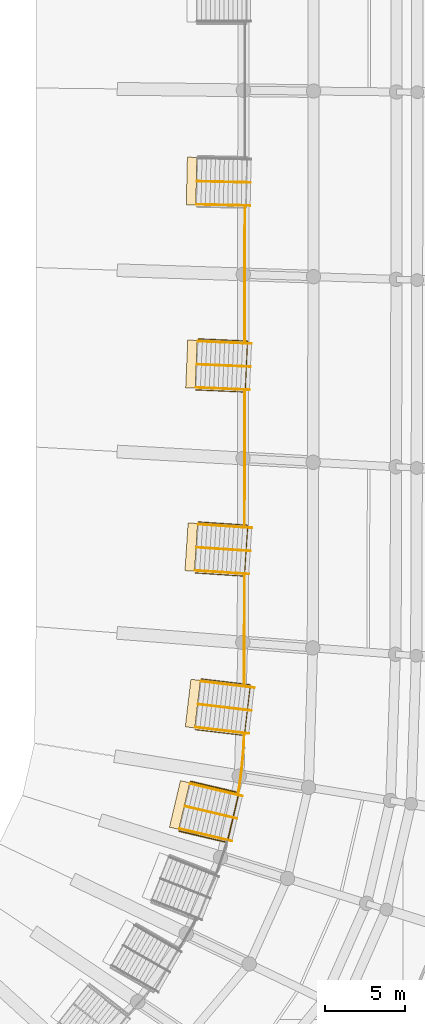
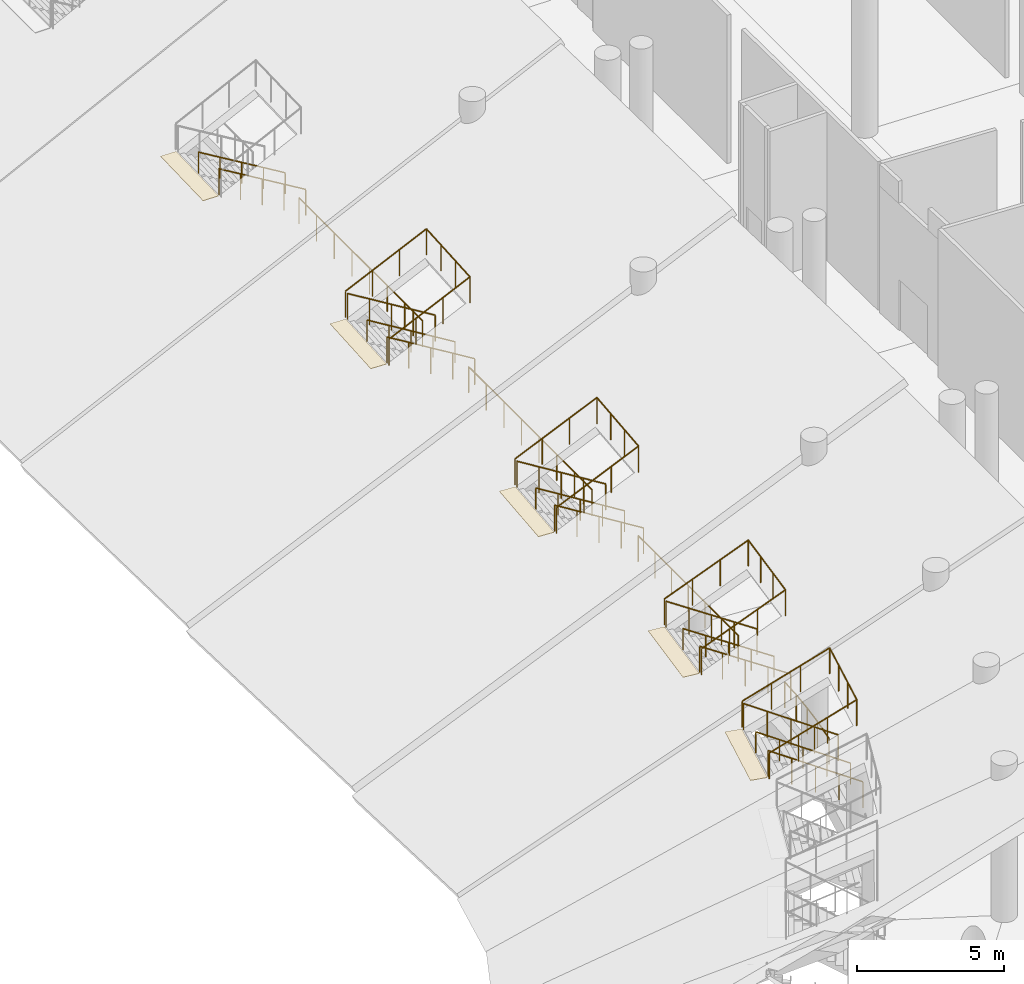
# One storey, part 216 of 255: 23 railings, 5 coverings.
"""IFC4 building model written with IfcOpenShell, lengths in metres."""

from ifc_helpers import new_model, si_unit, direction, frame, origin, origin_2d, place, context, subcontext, project, spatial, rectangle, circle, extrude, material, layer, layer_set, type_object, element, save


model = new_model("IFC4")

# Units and contexts
model_context = context("Model", 3, precision=1e-05, world=origin(), true_north=direction((0.0, 1.0)))
body_context = subcontext(model_context, "Body", "Model", "MODEL_VIEW")
ifc_project = project(units=[si_unit("LENGTHUNIT", "METRE"), si_unit("AREAUNIT", "SQUARE_METRE"), si_unit("VOLUMEUNIT", "CUBIC_METRE"), si_unit("PLANEANGLEUNIT", "RADIAN"), si_unit("MASSUNIT", "GRAM", prefix="KILO")], contexts=[model_context])

# Site, building, storey
site_placement = place(None, origin())
site = spatial("IfcSite", under=ifc_project, at=site_placement, CompositionType="ELEMENT")
building_placement = place(site_placement, origin())
building = spatial("IfcBuilding", under=site, at=building_placement, Name="Meseta Stadium", CompositionType="ELEMENT")
storey_placement = place(building_placement, origin())
storey = spatial("IfcBuildingStorey", under=building, at=storey_placement, Name="L00", CompositionType="ELEMENT", Elevation=0.0)

# Railings
ifc_material_1 = material(Name="Steel S355", Category="steel")
railing_type_1 = type_object("IfcRailingType", Name="Plate edge guard 1100", PredefinedType="GUARDRAIL", material=ifc_material_1)
railing_1_placement = place(storey_placement, frame((53.839599609375, -48.759521484375, 0.0)))
element("IfcRailing", 1, at=railing_1_placement, inside=storey, type_object=railing_type_1, Name="L00 inner edge guard 1", PredefinedType="GUARDRAIL", context=body_context, shape_type="SweptSolid", body=[
    extrude(circle(Radius=0.02490234375, at=origin_2d()), frame((0.0, 0.0, 1.0751953125), z_axis=(0.112509767376, 0.993650618802, 0.0), x_axis=(-0.993650618802, 0.112509767376, 0.0)), (0.0, 0.0, 1.0), 0.876708984375),
    extrude(circle(Radius=0.02490234375, at=origin_2d()), frame((0.0986328125, 0.87109375, 1.0751953125), z_axis=(0.080210130569, 0.99677797676, 0.0), x_axis=(-0.99677797676, 0.080210130569, 0.0)), (0.0, 0.0, 1.0), 0.876708984375),
    extrude(circle(Radius=0.02490234375, at=origin_2d()), frame((0.1689453125, 1.744873046875, 1.0751953125), z_axis=(0.047537937473, 0.99886943316, 0.0), x_axis=(-0.99886943316, 0.047537937473, 0.0)), (0.0, 0.0, 1.0), 0.8525390625),
    extrude(circle(Radius=0.02001953125, at=origin_2d()), origin(), (0.0, 0.0, 1.0), 1.050048828125),
    extrude(circle(Radius=0.02001953125, at=origin_2d()), frame((0.0986328125, 0.87109375, 0.0)), (0.0, 0.0, 1.0), 1.050048828125),
    extrude(circle(Radius=0.02001953125, at=origin_2d()), frame((0.1689453125, 1.744873046875, 0.0)), (0.0, 0.0, 1.0), 1.050048828125),
    extrude(circle(Radius=0.02001953125, at=origin_2d()), frame((0.20947265625, 2.596435546875, 0.0)), (0.0, 0.0, 1.0), 1.050048828125),
])
railing_2_placement = place(storey_placement, frame((54.056640625, -43.001953125, 0.0)))
element("IfcRailing", 2, at=railing_2_placement, inside=storey, type_object=railing_type_1, Name="L00 inner edge guard 2", PredefinedType="GUARDRAIL", context=body_context, shape_type="SweptSolid", body=[
    extrude(circle(Radius=0.02490234375, at=origin_2d()), frame((0.0, 0.0, 1.0751953125), z_axis=(0.001861794124, 0.99999826686, 0.0), x_axis=(-0.99999826686, 0.001861794124, 0.0)), (0.0, 0.0, 1.0), 6.81884765625),
    extrude(circle(Radius=0.02001953125, at=origin_2d()), origin(), (0.0, 0.0, 1.0), 1.050048828125),
    extrude(circle(Radius=0.02001953125, at=origin_2d()), frame((0.002197265625, 1.136474609375, 0.0)), (0.0, 0.0, 1.0), 1.050048828125),
    extrude(circle(Radius=0.02001953125, at=origin_2d()), frame((0.004150390625, 2.27294921875, 0.0)), (0.0, 0.0, 1.0), 1.050048828125),
    extrude(circle(Radius=0.02001953125, at=origin_2d()), frame((0.00634765625, 3.409423828125, 0.0)), (0.0, 0.0, 1.0), 1.050048828125),
    extrude(circle(Radius=0.02001953125, at=origin_2d()), frame((0.008544921875, 4.5458984375, 0.0)), (0.0, 0.0, 1.0), 1.050048828125),
    extrude(circle(Radius=0.02001953125, at=origin_2d()), frame((0.010498046875, 5.682373046875, 0.0)), (0.0, 0.0, 1.0), 1.050048828125),
    extrude(circle(Radius=0.02001953125, at=origin_2d()), frame((0.0126953125, 6.81884765625, 0.0)), (0.0, 0.0, 1.0), 1.050048828125),
])
railing_3_placement = place(storey_placement, frame((54.074462890625, -33.03662109375, 0.0)))
element("IfcRailing", 3, at=railing_3_placement, inside=storey, type_object=railing_type_1, Name="L00 inner edge guard 3", PredefinedType="GUARDRAIL", context=body_context, shape_type="SweptSolid", body=[
    extrude(circle(Radius=0.02490234375, at=origin_2d()), frame((0.0, 0.0, 1.0751953125), z_axis=(0.001338375292, 0.999999104375, 0.0), x_axis=(-0.999999104375, 0.001338375292, 0.0)), (0.0, 0.0, 1.0), 8.39111328125),
    extrude(circle(Radius=0.02001953125, at=origin_2d()), origin(), (0.0, 0.0, 1.0), 1.050048828125),
    extrude(circle(Radius=0.02001953125, at=origin_2d()), frame((0.001708984375, 1.19873046875, 0.0)), (0.0, 0.0, 1.0), 1.050048828125),
    extrude(circle(Radius=0.02001953125, at=origin_2d()), frame((0.003173828125, 2.3974609375, 0.0)), (0.0, 0.0, 1.0), 1.050048828125),
    extrude(circle(Radius=0.02001953125, at=origin_2d()), frame((0.0048828125, 3.59619140625, 0.0)), (0.0, 0.0, 1.0), 1.050048828125),
    extrude(circle(Radius=0.02001953125, at=origin_2d()), frame((0.00634765625, 4.794921875, 0.0)), (0.0, 0.0, 1.0), 1.050048828125),
    extrude(circle(Radius=0.02001953125, at=origin_2d()), frame((0.008056640625, 5.99365234375, 0.0)), (0.0, 0.0, 1.0), 1.050048828125),
    extrude(circle(Radius=0.02001953125, at=origin_2d()), frame((0.009521484375, 7.1923828125, 0.0)), (0.0, 0.0, 1.0), 1.050048828125),
    extrude(circle(Radius=0.02001953125, at=origin_2d()), frame((0.01123046875, 8.39111328125, 0.0)), (0.0, 0.0, 1.0), 1.050048828125),
])
railing_4_placement = place(storey_placement, frame((54.089111328125, -21.50244140625, 0.0)))
element("IfcRailing", 4, at=railing_4_placement, inside=storey, type_object=railing_type_1, Name="L00 inner edge guard 4", PredefinedType="GUARDRAIL", context=body_context, shape_type="SweptSolid", body=[
    extrude(circle(Radius=0.02490234375, at=origin_2d()), frame((0.0, 0.0, 1.0751953125), z_axis=(0.000814284613, 0.99999966847, 0.0), x_axis=(-0.99999966847, 0.000814284613, 0.0)), (0.0, 0.0, 1.0), 8.39501953125),
    extrude(circle(Radius=0.02001953125, at=origin_2d()), origin(), (0.0, 0.0, 1.0), 1.050048828125),
    extrude(circle(Radius=0.02001953125, at=origin_2d()), frame((0.0009765625, 1.19921875, 0.0)), (0.0, 0.0, 1.0), 1.050048828125),
    extrude(circle(Radius=0.02001953125, at=origin_2d()), frame((0.001953125, 2.398681640625, 0.0)), (0.0, 0.0, 1.0), 1.050048828125),
    extrude(circle(Radius=0.02001953125, at=origin_2d()), frame((0.0029296875, 3.597900390625, 0.0)), (0.0, 0.0, 1.0), 1.050048828125),
    extrude(circle(Radius=0.02001953125, at=origin_2d()), frame((0.00390625, 4.797119140625, 0.0)), (0.0, 0.0, 1.0), 1.050048828125),
    extrude(circle(Radius=0.02001953125, at=origin_2d()), frame((0.0048828125, 5.996337890625, 0.0)), (0.0, 0.0, 1.0), 1.050048828125),
    extrude(circle(Radius=0.02001953125, at=origin_2d()), frame((0.005859375, 7.19580078125, 0.0)), (0.0, 0.0, 1.0), 1.050048828125),
    extrude(circle(Radius=0.02001953125, at=origin_2d()), frame((0.0068359375, 8.39501953125, 0.0)), (0.0, 0.0, 1.0), 1.050048828125),
])
railing_5_placement = place(storey_placement, frame((53.679931640625, -49.806640625, 0.0)))
element("IfcRailing", 5, at=railing_5_placement, inside=storey, type_object=railing_type_1, Name="L00 inner edge guard 57", PredefinedType="GUARDRAIL", context=body_context, shape_type="SweptSolid", body=[
    extrude(circle(Radius=0.02490234375, at=origin_2d()), frame((0.0, 0.0, 1.0751953125), z_axis=(0.150740722713, 0.988573332897, 0.0), x_axis=(-0.988573332897, 0.150740722713, 0.0)), (0.0, 0.0, 1.0), 1.059326171875),
    extrude(circle(Radius=0.02001953125, at=origin_2d()), origin(), (0.0, 0.0, 1.0), 1.050048828125),
    extrude(circle(Radius=0.02001953125, at=origin_2d()), frame((0.15966796875, 1.047119140625, 0.0)), (0.0, 0.0, 1.0), 1.050048828125),
])

# Coverings
ifc_material_2 = material(Name="Stone paving", Category="masonry")
ifc_layer = layer(ifc_material_2, 0.02001953125)
ifc_layer_set = layer_set([ifc_layer], Name="Vomitory exit threshold plate 20")
covering_type = type_object("IfcCoveringType", Name="Vomitory exit threshold plate 20", PredefinedType="FLOORING", material=ifc_layer_set)
for number, where, z_axis, x_axis, name in (
    (6, (50.83349609375, -44.199951171875, 2.228515625), (0.0, 0.0, 1.0), (-0.993015017931, 0.117988025512, 0.0), "Vomitory V-lower-01 exit threshold"),
    (7, (50.737060546875, -34.390380859375, 2.130615234375), (0.0, 0.0, 1.0), (-0.997842912451, 0.065646950207, 0.0), "Vomitory V-lower-02 exit threshold"),
    (8, (50.748779296875, -22.927490234375, 2.130615234375), (0.0, 0.0, 1.0), (-0.999039522965, 0.043818164662, 0.0), "Vomitory V-lower-03 exit threshold"),
    (9, (50.755859375, -11.4638671875, 2.130615234375), (0.0, 0.0, 1.0), (-0.999759622364, 0.021924814479, 0.0), "Vomitory V-lower-04 exit threshold"),
    (10, (50.00439453125, -50.55224609375, 2.11767578125), (0.0, 0.0, 1.0), (-0.973256309483, 0.229721910255, 0.0), "Vomitory V-lower-56 exit threshold"),
):
    element("IfcCovering", number, at=place(storey_placement, frame(where, z_axis=z_axis, x_axis=x_axis)), inside=storey, type_object=covering_type, Name=name, PredefinedType="FLOORING", context=body_context, shape_type="SweptSolid", body=[
        extrude(rectangle(XDim=0.60009765625, YDim=3.0, at=origin_2d()), origin(), (0.0, 0.0, 1.0), 0.02001953125),
    ])

# Railings
ifc_material_3 = material(Name="Steel S355", Category="steel")
railing_type_2 = type_object("IfcRailingType", Name="Vomitory slot guard 1100", PredefinedType="GUARDRAIL", material=ifc_material_3)
railing_6_placement = place(storey_placement, frame((51.361083984375, -42.6513671875, 2.24853515625)))
element("IfcRailing", 11, at=railing_6_placement, inside=storey, type_object=railing_type_2, Name="Vomitory V-lower-01 slot guard", PredefinedType="GUARDRAIL", context=body_context, shape_type="SweptSolid", body=[
    extrude(circle(Radius=0.02490234375, at=origin_2d()), frame((0.0, 0.0, 1.0751953125), z_axis=(0.884593898509, -0.105101654502, 0.454364695967), x_axis=(0.117983604359, 0.993015543233, 0.0)), (0.0, 0.0, 1.0), 3.479736328125),
    extrude(circle(Radius=0.02490234375, at=origin_2d()), frame((3.078125, -0.36572265625, 2.65625), z_axis=(-0.117947803089, -0.993019796251, 0.0), x_axis=(0.993019796251, -0.117947803089, 0.0)), (0.0, 0.0, 1.0), 3.199951171875),
    extrude(circle(Radius=0.02490234375, at=origin_2d()), frame((2.70068359375, -3.54345703125, 2.65625), z_axis=(-0.884609156729, 0.105095131793, -0.454336497659), x_axis=(-0.117974377502, -0.993016639464, 0.0)), (0.0, 0.0, 1.0), 3.47998046875),
    extrude(circle(Radius=0.02001953125, at=origin_2d()), origin(), (0.0, 0.0, 1.0), 1.050048828125),
    extrude(circle(Radius=0.02001953125, at=origin_2d()), frame((1.026123046875, -0.121826171875, 0.527099609375)), (0.0, 0.0, 1.0), 1.050048828125),
    extrude(circle(Radius=0.02001953125, at=origin_2d()), frame((2.052001953125, -0.243896484375, 1.053955078125)), (0.0, 0.0, 1.0), 1.050048828125),
    extrude(circle(Radius=0.02001953125, at=origin_2d()), frame((3.078125, -0.36572265625, 1.5810546875)), (0.0, 0.0, 1.0), 1.050048828125),
    extrude(circle(Radius=0.02001953125, at=origin_2d()), frame((2.952392578125, -1.425048828125, 1.5810546875)), (0.0, 0.0, 1.0), 1.050048828125),
    extrude(circle(Radius=0.02001953125, at=origin_2d()), frame((2.826416015625, -2.484130859375, 1.5810546875)), (0.0, 0.0, 1.0), 1.050048828125),
    extrude(circle(Radius=0.02001953125, at=origin_2d()), frame((2.70068359375, -3.54345703125, 1.5810546875)), (0.0, 0.0, 1.0), 1.050048828125),
    extrude(circle(Radius=0.02001953125, at=origin_2d()), frame((1.674560546875, -3.421630859375, 1.053955078125)), (0.0, 0.0, 1.0), 1.050048828125),
    extrude(circle(Radius=0.02001953125, at=origin_2d()), frame((0.6484375, -3.299560546875, 0.527099609375)), (0.0, 0.0, 1.0), 1.050048828125),
    extrude(circle(Radius=0.02001953125, at=origin_2d()), frame((-0.377685546875, -3.177734375, 0.0)), (0.0, 0.0, 1.0), 1.050048828125),
])
railing_7_placement = place(storey_placement, frame((51.1826171875, -32.81640625, 2.150634765625)))
element("IfcRailing", 12, at=railing_7_placement, inside=storey, type_object=railing_type_2, Name="Vomitory V-lower-02 slot guard", PredefinedType="GUARDRAIL", context=body_context, shape_type="SweptSolid", body=[
    extrude(circle(Radius=0.02490234375, at=origin_2d()), frame((0.0, 0.0, 1.0751953125), z_axis=(0.888902795646, -0.058511833589, 0.454343686236), x_axis=(0.06568263854, 0.997840563915, 0.0)), (0.0, 0.0, 1.0), 3.47998046875),
    extrude(circle(Radius=0.02490234375, at=origin_2d()), frame((3.09326171875, -0.20361328125, 2.65625), z_axis=(-0.065617568946, -0.997844844976, 0.0), x_axis=(0.997844844976, -0.065617568946, 0.0)), (0.0, 0.0, 1.0), 3.19970703125),
    extrude(circle(Radius=0.02490234375, at=origin_2d()), frame((2.88330078125, -3.396484375, 2.65625), z_axis=(-0.888906442496, 0.05844191528, -0.454345550245), x_axis=(-0.065604221541, -0.997845722602, 0.0)), (0.0, 0.0, 1.0), 3.479736328125),
    extrude(circle(Radius=0.02001953125, at=origin_2d()), origin(), (0.0, 0.0, 1.0), 1.050048828125),
    extrude(circle(Radius=0.02001953125, at=origin_2d()), frame((1.031005859375, -0.06787109375, 0.527099609375)), (0.0, 0.0, 1.0), 1.050048828125),
    extrude(circle(Radius=0.02001953125, at=origin_2d()), frame((2.062255859375, -0.1357421875, 1.053955078125)), (0.0, 0.0, 1.0), 1.050048828125),
    extrude(circle(Radius=0.02001953125, at=origin_2d()), frame((3.09326171875, -0.20361328125, 1.5810546875)), (0.0, 0.0, 1.0), 1.050048828125),
    extrude(circle(Radius=0.02001953125, at=origin_2d()), frame((3.023193359375, -1.267822265625, 1.5810546875)), (0.0, 0.0, 1.0), 1.050048828125),
    extrude(circle(Radius=0.02001953125, at=origin_2d()), frame((2.953369140625, -2.332275390625, 1.5810546875)), (0.0, 0.0, 1.0), 1.050048828125),
    extrude(circle(Radius=0.02001953125, at=origin_2d()), frame((2.88330078125, -3.396484375, 1.5810546875)), (0.0, 0.0, 1.0), 1.050048828125),
    extrude(circle(Radius=0.02001953125, at=origin_2d()), frame((1.852294921875, -3.32861328125, 1.053955078125)), (0.0, 0.0, 1.0), 1.050048828125),
    extrude(circle(Radius=0.02001953125, at=origin_2d()), frame((0.821044921875, -3.260986328125, 0.527099609375)), (0.0, 0.0, 1.0), 1.050048828125),
    extrude(circle(Radius=0.02001953125, at=origin_2d()), frame((-0.2099609375, -3.193115234375, 0.0)), (0.0, 0.0, 1.0), 1.050048828125),
])
railing_8_placement = place(storey_placement, frame((51.159912109375, -21.343994140625, 2.150634765625)))
element("IfcRailing", 13, at=railing_8_placement, inside=storey, type_object=railing_type_2, Name="Vomitory V-lower-03 slot guard", PredefinedType="GUARDRAIL", context=body_context, shape_type="SweptSolid", body=[
    extrude(circle(Radius=0.02490234375, at=origin_2d()), frame((0.0, 0.0, 1.0751953125), z_axis=(0.889968516621, -0.039008474201, 0.454350501666), x_axis=(0.043789253415, 0.999040790601, 0.0)), (0.0, 0.0, 1.0), 3.479736328125),
    extrude(circle(Radius=0.02490234375, at=origin_2d()), frame((3.096923828125, -0.1357421875, 2.65625), z_axis=(-0.04379147445, -0.999040693248, 0.0), x_axis=(0.999040693248, -0.04379147445, 0.0)), (0.0, 0.0, 1.0), 3.2001953125),
    extrude(circle(Radius=0.02490234375, at=origin_2d()), frame((2.956787109375, -3.332763671875, 2.65625), z_axis=(-0.889983105268, 0.039006038667, -0.454322133826), x_axis=(-0.043785808256, -0.999040941601, 0.0)), (0.0, 0.0, 1.0), 3.47998046875),
    extrude(circle(Radius=0.02001953125, at=origin_2d()), origin(), (0.0, 0.0, 1.0), 1.050048828125),
    extrude(circle(Radius=0.02001953125, at=origin_2d()), frame((1.0322265625, -0.045166015625, 0.527099609375)), (0.0, 0.0, 1.0), 1.050048828125),
    extrude(circle(Radius=0.02001953125, at=origin_2d()), frame((2.064697265625, -0.090576171875, 1.053955078125)), (0.0, 0.0, 1.0), 1.050048828125),
    extrude(circle(Radius=0.02001953125, at=origin_2d()), frame((3.096923828125, -0.1357421875, 1.5810546875)), (0.0, 0.0, 1.0), 1.050048828125),
    extrude(circle(Radius=0.02001953125, at=origin_2d()), frame((3.05029296875, -1.201416015625, 1.5810546875)), (0.0, 0.0, 1.0), 1.050048828125),
    extrude(circle(Radius=0.02001953125, at=origin_2d()), frame((3.00341796875, -2.26708984375, 1.5810546875)), (0.0, 0.0, 1.0), 1.050048828125),
    extrude(circle(Radius=0.02001953125, at=origin_2d()), frame((2.956787109375, -3.332763671875, 1.5810546875)), (0.0, 0.0, 1.0), 1.050048828125),
    extrude(circle(Radius=0.02001953125, at=origin_2d()), frame((1.92431640625, -3.28759765625, 1.053955078125)), (0.0, 0.0, 1.0), 1.050048828125),
    extrude(circle(Radius=0.02001953125, at=origin_2d()), frame((0.89208984375, -3.2421875, 0.527099609375)), (0.0, 0.0, 1.0), 1.050048828125),
    extrude(circle(Radius=0.02001953125, at=origin_2d()), frame((-0.140380859375, -3.197021484375, 0.0)), (0.0, 0.0, 1.0), 1.050048828125),
])
railing_9_placement = place(storey_placement, frame((50.7041015625, -49.073486328125, 2.1376953125)))
element("IfcRailing", 14, at=railing_9_placement, inside=storey, type_object=railing_type_2, Name="Vomitory V-lower-56 slot guard", PredefinedType="GUARDRAIL", context=body_context, shape_type="SweptSolid", body=[
    extrude(circle(Radius=0.02490234375, at=origin_2d()), frame((0.0, 0.0, 1.0751953125), z_axis=(0.867031302816, -0.204655309137, 0.454282868242), x_axis=(0.229728447463, 0.973254766454, 0.0)), (0.0, 0.0, 1.0), 3.479736328125),
    extrude(circle(Radius=0.02490234375, at=origin_2d()), frame((3.01708984375, -0.712158203125, 2.65576171875), z_axis=(-0.229732459273, -0.973253819492, 0.0), x_axis=(0.973253819492, -0.229732459273, 0.0)), (0.0, 0.0, 1.0), 3.199951171875),
    extrude(circle(Radius=0.02490234375, at=origin_2d()), frame((2.281982421875, -3.826416015625, 2.65576171875), z_axis=(-0.867031302816, 0.204655309137, -0.454282868242), x_axis=(-0.229728447463, -0.973254766454, 0.0)), (0.0, 0.0, 1.0), 3.479736328125),
    extrude(circle(Radius=0.02001953125, at=origin_2d()), origin(), (0.0, 0.0, 1.0), 1.050048828125),
    extrude(circle(Radius=0.02001953125, at=origin_2d()), frame((1.005615234375, -0.2373046875, 0.52685546875)), (0.0, 0.0, 1.0), 1.050048828125),
    extrude(circle(Radius=0.02001953125, at=origin_2d()), frame((2.011474609375, -0.474853515625, 1.053955078125)), (0.0, 0.0, 1.0), 1.050048828125),
    extrude(circle(Radius=0.02001953125, at=origin_2d()), frame((3.01708984375, -0.712158203125, 1.580810546875)), (0.0, 0.0, 1.0), 1.050048828125),
    extrude(circle(Radius=0.02001953125, at=origin_2d()), frame((2.77197265625, -1.750244140625, 1.580810546875)), (0.0, 0.0, 1.0), 1.050048828125),
    extrude(circle(Radius=0.02001953125, at=origin_2d()), frame((2.527099609375, -2.788330078125, 1.580810546875)), (0.0, 0.0, 1.0), 1.050048828125),
    extrude(circle(Radius=0.02001953125, at=origin_2d()), frame((2.281982421875, -3.826416015625, 1.580810546875)), (0.0, 0.0, 1.0), 1.050048828125),
    extrude(circle(Radius=0.02001953125, at=origin_2d()), frame((1.2763671875, -3.589111328125, 1.053955078125)), (0.0, 0.0, 1.0), 1.050048828125),
    extrude(circle(Radius=0.02001953125, at=origin_2d()), frame((0.2705078125, -3.3515625, 0.52685546875)), (0.0, 0.0, 1.0), 1.050048828125),
    extrude(circle(Radius=0.02001953125, at=origin_2d()), frame((-0.735107421875, -3.1142578125, 0.0)), (0.0, 0.0, 1.0), 1.050048828125),
])
ifc_material_4 = material(Name="Steel S355", Category="steel")
railing_type_3 = type_object("IfcRailingType", Name="Vomitory stair guard 1100", PredefinedType="GUARDRAIL", material=ifc_material_4)
for number, where, name in (
    (15, (54.337646484375, -46.07666015625, 0.173095703125), "Vomitory V-lower-01 guard left"),
    (16, (54.6796875, -43.19677734375, 0.173095703125), "Vomitory V-lower-01 guard right"),
):
    element("IfcRailing", number, at=place(storey_placement, frame(where)), inside=storey, type_object=railing_type_3, Name=name, PredefinedType="GUARDRAIL", context=body_context, shape_type="SweptSolid", body=[
        extrude(circle(Radius=0.02490234375, at=origin_2d()), frame((0.0, 0.0, 1.0751953125), z_axis=(-0.844830304724, 0.100395464282, 0.525530690799), x_axis=(-0.118004767911, -0.99301302849, 0.0)), (0.0, 0.0, 1.0), 3.94921875),
        extrude(circle(Radius=0.02001953125, at=origin_2d()), origin(), (0.0, 0.0, 1.0), 1.050048828125),
        extrude(circle(Radius=0.02001953125, at=origin_2d()), frame((-0.833984375, 0.09912109375, 0.518798828125)), (0.0, 0.0, 1.0), 1.050048828125),
        extrude(circle(Radius=0.02001953125, at=origin_2d()), frame((-1.668212890625, 0.1982421875, 1.03759765625)), (0.0, 0.0, 1.0), 1.050048828125),
        extrude(circle(Radius=0.02001953125, at=origin_2d()), frame((-2.50244140625, 0.29736328125, 1.556640625)), (0.0, 0.0, 1.0), 1.050048828125),
        extrude(circle(Radius=0.02001953125, at=origin_2d()), frame((-3.33642578125, 0.396484375, 2.075439453125)), (0.0, 0.0, 1.0), 1.050048828125),
    ])
for number, where, name in (
    (17, (54.335205078125, -36.080322265625, 0.165283203125), "Vomitory V-lower-02 guard left"),
    (18, (54.525634765625, -33.1865234375, 0.165283203125), "Vomitory V-lower-02 guard right"),
):
    element("IfcRailing", number, at=place(storey_placement, frame(where)), inside=storey, type_object=railing_type_3, Name=name, PredefinedType="GUARDRAIL", context=body_context, shape_type="SweptSolid", body=[
        extrude(circle(Radius=0.02490234375, at=origin_2d()), frame((0.0, 0.0, 1.0751953125), z_axis=(-0.859084475855, 0.056488260518, 0.50870712573), x_axis=(-0.06561233567, -0.997845189099, 0.0)), (0.0, 0.0, 1.0), 3.90283203125),
        extrude(circle(Radius=0.02001953125, at=origin_2d()), origin(), (0.0, 0.0, 1.0), 1.050048828125),
        extrude(circle(Radius=0.02001953125, at=origin_2d()), frame((-0.838134765625, 0.05517578125, 0.496337890625)), (0.0, 0.0, 1.0), 1.050048828125),
        extrude(circle(Radius=0.02001953125, at=origin_2d()), frame((-1.67626953125, 0.1103515625, 0.99267578125)), (0.0, 0.0, 1.0), 1.050048828125),
        extrude(circle(Radius=0.02001953125, at=origin_2d()), frame((-2.5146484375, 0.165283203125, 1.489013671875)), (0.0, 0.0, 1.0), 1.050048828125),
        extrude(circle(Radius=0.02001953125, at=origin_2d()), frame((-3.352783203125, 0.220458984375, 1.9853515625)), (0.0, 0.0, 1.0), 1.050048828125),
    ])
for number, where, name in (
    (19, (54.3828125, -24.538330078125, 0.165283203125), "Vomitory V-lower-03 guard left"),
    (20, (54.510009765625, -21.64111328125, 0.165283203125), "Vomitory V-lower-03 guard right"),
):
    element("IfcRailing", number, at=place(storey_placement, frame(where)), inside=storey, type_object=railing_type_3, Name=name, PredefinedType="GUARDRAIL", context=body_context, shape_type="SweptSolid", body=[
        extrude(circle(Radius=0.02490234375, at=origin_2d()), frame((0.0, 0.0, 1.0751953125), z_axis=(-0.860105718609, 0.037722288772, 0.508719158028), x_axis=(-0.043815615664, -0.999039634761, 0.0)), (0.0, 0.0, 1.0), 3.902587890625),
        extrude(circle(Radius=0.02001953125, at=origin_2d()), origin(), (0.0, 0.0, 1.0), 1.050048828125),
        extrude(circle(Radius=0.02001953125, at=origin_2d()), frame((-0.839111328125, 0.036865234375, 0.496337890625)), (0.0, 0.0, 1.0), 1.050048828125),
        extrude(circle(Radius=0.02001953125, at=origin_2d()), frame((-1.67822265625, 0.07373046875, 0.99267578125)), (0.0, 0.0, 1.0), 1.050048828125),
        extrude(circle(Radius=0.02001953125, at=origin_2d()), frame((-2.517578125, 0.1103515625, 1.489013671875)), (0.0, 0.0, 1.0), 1.050048828125),
        extrude(circle(Radius=0.02001953125, at=origin_2d()), frame((-3.356689453125, 0.147216796875, 1.9853515625)), (0.0, 0.0, 1.0), 1.050048828125),
    ])
railing_10_placement = place(storey_placement, frame((54.42431640625, -12.99462890625, 0.165283203125)))
element("IfcRailing", 21, at=railing_10_placement, inside=storey, type_object=railing_type_3, Name="Vomitory V-lower-04 guard left", PredefinedType="GUARDRAIL", context=body_context, shape_type="SweptSolid", body=[
    extrude(circle(Radius=0.02490234375, at=origin_2d()), frame((0.0, 0.0, 1.0751953125), z_axis=(-0.860726790282, 0.018892324345, 0.508716495281), x_axis=(-0.021943984224, -0.999759201786, 0.0)), (0.0, 0.0, 1.0), 3.902587890625),
    extrude(circle(Radius=0.02001953125, at=origin_2d()), origin(), (0.0, 0.0, 1.0), 1.050048828125),
    extrude(circle(Radius=0.02001953125, at=origin_2d()), frame((-0.83984375, 0.0185546875, 0.496337890625)), (0.0, 0.0, 1.0), 1.050048828125),
    extrude(circle(Radius=0.02001953125, at=origin_2d()), frame((-1.6796875, 0.036865234375, 0.99267578125)), (0.0, 0.0, 1.0), 1.050048828125),
    extrude(circle(Radius=0.02001953125, at=origin_2d()), frame((-2.519287109375, 0.05517578125, 1.489013671875)), (0.0, 0.0, 1.0), 1.050048828125),
    extrude(circle(Radius=0.02001953125, at=origin_2d()), frame((-3.359130859375, 0.07373046875, 1.9853515625)), (0.0, 0.0, 1.0), 1.050048828125),
])
railing_11_placement = place(storey_placement, frame((53.2734375, -52.813720703125, 0.164306640625)))
element("IfcRailing", 22, at=railing_11_placement, inside=storey, type_object=railing_type_3, Name="Vomitory V-lower-56 guard left", PredefinedType="GUARDRAIL", context=body_context, shape_type="SweptSolid", body=[
    extrude(circle(Radius=0.02490234375, at=origin_2d()), frame((0.0, 0.0, 1.0751953125), z_axis=(-0.839205318068, 0.198116112866, 0.50644292862), x_axis=(-0.229760182467, -0.973247275132, 0.0)), (0.0, 0.0, 1.0), 3.896484375),
    extrude(circle(Radius=0.02001953125, at=origin_2d()), origin(), (0.0, 0.0, 1.0), 1.050048828125),
    extrude(circle(Radius=0.02001953125, at=origin_2d()), frame((-0.8173828125, 0.19287109375, 0.493408203125)), (0.0, 0.0, 1.0), 1.050048828125),
    extrude(circle(Radius=0.02001953125, at=origin_2d()), frame((-1.635009765625, 0.385986328125, 0.98681640625)), (0.0, 0.0, 1.0), 1.050048828125),
    extrude(circle(Radius=0.02001953125, at=origin_2d()), frame((-2.45263671875, 0.5791015625, 1.47998046875)), (0.0, 0.0, 1.0), 1.050048828125),
    extrude(circle(Radius=0.02001953125, at=origin_2d()), frame((-3.27001953125, 0.77197265625, 1.973388671875)), (0.0, 0.0, 1.0), 1.050048828125),
])
railing_12_placement = place(storey_placement, frame((53.939697265625, -49.9912109375, 0.164306640625)))
element("IfcRailing", 23, at=railing_12_placement, inside=storey, type_object=railing_type_3, Name="Vomitory V-lower-56 guard right", PredefinedType="GUARDRAIL", context=body_context, shape_type="SweptSolid", body=[
    extrude(circle(Radius=0.02490234375, at=origin_2d()), frame((0.0, 0.0, 1.0751953125), z_axis=(-0.839234260702, 0.198045501909, 0.506422585237), x_axis=(-0.229675110704, -0.973267354596, 0.0)), (0.0, 0.0, 1.0), 3.896728515625),
    extrude(circle(Radius=0.02001953125, at=origin_2d()), origin(), (0.0, 0.0, 1.0), 1.050048828125),
    extrude(circle(Radius=0.02001953125, at=origin_2d()), frame((-0.817626953125, 0.19287109375, 0.493408203125)), (0.0, 0.0, 1.0), 1.050048828125),
    extrude(circle(Radius=0.02001953125, at=origin_2d()), frame((-1.63525390625, 0.3857421875, 0.98681640625)), (0.0, 0.0, 1.0), 1.050048828125),
    extrude(circle(Radius=0.02001953125, at=origin_2d()), frame((-2.45263671875, 0.578857421875, 1.47998046875)), (0.0, 0.0, 1.0), 1.050048828125),
    extrude(circle(Radius=0.02001953125, at=origin_2d()), frame((-3.270263671875, 0.771728515625, 1.973388671875)), (0.0, 0.0, 1.0), 1.050048828125),
])
ifc_material_5 = material(Name="Steel S355", Category="steel")
railing_type_4 = type_object("IfcRailingType", Name="Vomitory stair handrail 900", PredefinedType="HANDRAIL", material=ifc_material_5)
railing_13_placement = place(storey_placement, frame((54.5087890625, -44.63671875, 0.173095703125)))
element("IfcRailing", 24, at=railing_13_placement, inside=storey, type_object=railing_type_4, Name="Vomitory V-lower-01 central handrail", PredefinedType="HANDRAIL", context=body_context, shape_type="SweptSolid", body=[
    extrude(circle(Radius=0.02490234375, at=origin_2d()), frame((0.0, 0.0, 0.875), z_axis=(-0.844848000001, 0.100390221117, 0.525503244897), x_axis=(-0.117996253847, -0.993014040222, 0.0)), (0.0, 0.0, 1.0), 3.949462890625),
    extrude(circle(Radius=0.02001953125, at=origin_2d()), origin(), (0.0, 0.0, 1.0), 0.849853515625),
    extrude(circle(Radius=0.02001953125, at=origin_2d()), frame((-0.834228515625, 0.09912109375, 0.518798828125)), (0.0, 0.0, 1.0), 0.849853515625),
    extrude(circle(Radius=0.02001953125, at=origin_2d()), frame((-1.66845703125, 0.1982421875, 1.03759765625)), (0.0, 0.0, 1.0), 0.849853515625),
    extrude(circle(Radius=0.02001953125, at=origin_2d()), frame((-2.50244140625, 0.29736328125, 1.556640625)), (0.0, 0.0, 1.0), 0.849853515625),
    extrude(circle(Radius=0.02001953125, at=origin_2d()), frame((-3.336669921875, 0.396484375, 2.075439453125)), (0.0, 0.0, 1.0), 0.849853515625),
])
railing_14_placement = place(storey_placement, frame((54.430419921875, -34.633544921875, 0.165283203125)))
element("IfcRailing", 25, at=railing_14_placement, inside=storey, type_object=railing_type_4, Name="Vomitory V-lower-02 central handrail", PredefinedType="HANDRAIL", context=body_context, shape_type="SweptSolid", body=[
    extrude(circle(Radius=0.02490234375, at=origin_2d()), frame((0.0, 0.0, 0.875), z_axis=(-0.85908143845, 0.056550616789, 0.50870532713), x_axis=(-0.065684682745, -0.997840429354, 0.0)), (0.0, 0.0, 1.0), 3.90283203125),
    extrude(circle(Radius=0.02001953125, at=origin_2d()), origin(), (0.0, 0.0, 1.0), 0.849853515625),
    extrude(circle(Radius=0.02001953125, at=origin_2d()), frame((-0.838134765625, 0.05517578125, 0.496337890625)), (0.0, 0.0, 1.0), 0.849853515625),
    extrude(circle(Radius=0.02001953125, at=origin_2d()), frame((-1.67626953125, 0.1103515625, 0.99267578125)), (0.0, 0.0, 1.0), 0.849853515625),
    extrude(circle(Radius=0.02001953125, at=origin_2d()), frame((-2.5146484375, 0.16552734375, 1.489013671875)), (0.0, 0.0, 1.0), 0.849853515625),
    extrude(circle(Radius=0.02001953125, at=origin_2d()), frame((-3.352783203125, 0.220703125, 1.9853515625)), (0.0, 0.0, 1.0), 0.849853515625),
])
railing_15_placement = place(storey_placement, frame((54.446533203125, -23.089599609375, 0.165283203125)))
element("IfcRailing", 26, at=railing_15_placement, inside=storey, type_object=railing_type_4, Name="Vomitory V-lower-03 central handrail", PredefinedType="HANDRAIL", context=body_context, shape_type="SweptSolid", body=[
    extrude(circle(Radius=0.02490234375, at=origin_2d()), frame((0.0, 0.0, 0.875), z_axis=(-0.860121995943, 0.037720259168, 0.508691786982), x_axis=(-0.043812435191, -0.999039774245, 0.0)), (0.0, 0.0, 1.0), 3.90283203125),
    extrude(circle(Radius=0.02001953125, at=origin_2d()), origin(), (0.0, 0.0, 1.0), 0.849853515625),
    extrude(circle(Radius=0.02001953125, at=origin_2d()), frame((-0.83935546875, 0.036865234375, 0.496337890625)), (0.0, 0.0, 1.0), 0.849853515625),
    extrude(circle(Radius=0.02001953125, at=origin_2d()), frame((-1.678466796875, 0.07373046875, 0.99267578125)), (0.0, 0.0, 1.0), 0.849853515625),
    extrude(circle(Radius=0.02001953125, at=origin_2d()), frame((-2.517578125, 0.1103515625, 1.489013671875)), (0.0, 0.0, 1.0), 0.849853515625),
    extrude(circle(Radius=0.02001953125, at=origin_2d()), frame((-3.35693359375, 0.147216796875, 1.9853515625)), (0.0, 0.0, 1.0), 0.849853515625),
])
railing_16_placement = place(storey_placement, frame((54.456298828125, -11.545166015625, 0.165283203125)))
element("IfcRailing", 27, at=railing_16_placement, inside=storey, type_object=railing_type_4, Name="Vomitory V-lower-04 central handrail", PredefinedType="HANDRAIL", context=body_context, shape_type="SweptSolid", body=[
    extrude(circle(Radius=0.02490234375, at=origin_2d()), frame((0.0, 0.0, 0.875), z_axis=(-0.860743000676, 0.018891307137, 0.50868910476), x_axis=(-0.021942390226, -0.999759236772, 0.0)), (0.0, 0.0, 1.0), 3.90283203125),
    extrude(circle(Radius=0.02001953125, at=origin_2d()), origin(), (0.0, 0.0, 1.0), 0.849853515625),
    extrude(circle(Radius=0.02001953125, at=origin_2d()), frame((-0.83984375, 0.0185546875, 0.496337890625)), (0.0, 0.0, 1.0), 0.849853515625),
    extrude(circle(Radius=0.02001953125, at=origin_2d()), frame((-1.6796875, 0.036865234375, 0.99267578125)), (0.0, 0.0, 1.0), 0.849853515625),
    extrude(circle(Radius=0.02001953125, at=origin_2d()), frame((-2.51953125, 0.05517578125, 1.489013671875)), (0.0, 0.0, 1.0), 0.849853515625),
    extrude(circle(Radius=0.02001953125, at=origin_2d()), frame((-3.359375, 0.07373046875, 1.9853515625)), (0.0, 0.0, 1.0), 0.849853515625),
])
railing_17_placement = place(storey_placement, frame((53.606689453125, -51.402587890625, 0.164306640625)))
element("IfcRailing", 28, at=railing_17_placement, inside=storey, type_object=railing_type_4, Name="Vomitory V-lower-56 central handrail", PredefinedType="HANDRAIL", context=body_context, shape_type="SweptSolid", body=[
    extrude(circle(Radius=0.02490234375, at=origin_2d()), frame((0.0, 0.0, 0.875), z_axis=(-0.839223845941, 0.19810569622, 0.506416300615), x_axis=(-0.229743935175, -0.973251110583, 0.0)), (0.0, 0.0, 1.0), 3.896728515625),
    extrude(circle(Radius=0.02001953125, at=origin_2d()), origin(), (0.0, 0.0, 1.0), 0.849853515625),
    extrude(circle(Radius=0.02001953125, at=origin_2d()), frame((-0.817626953125, 0.19287109375, 0.493408203125)), (0.0, 0.0, 1.0), 0.849853515625),
    extrude(circle(Radius=0.02001953125, at=origin_2d()), frame((-1.63525390625, 0.385986328125, 0.98681640625)), (0.0, 0.0, 1.0), 0.849853515625),
    extrude(circle(Radius=0.02001953125, at=origin_2d()), frame((-2.45263671875, 0.5791015625, 1.47998046875)), (0.0, 0.0, 1.0), 0.849853515625),
    extrude(circle(Radius=0.02001953125, at=origin_2d()), frame((-3.270263671875, 0.77197265625, 1.973388671875)), (0.0, 0.0, 1.0), 0.849853515625),
])

save(model, "model.ifc")
